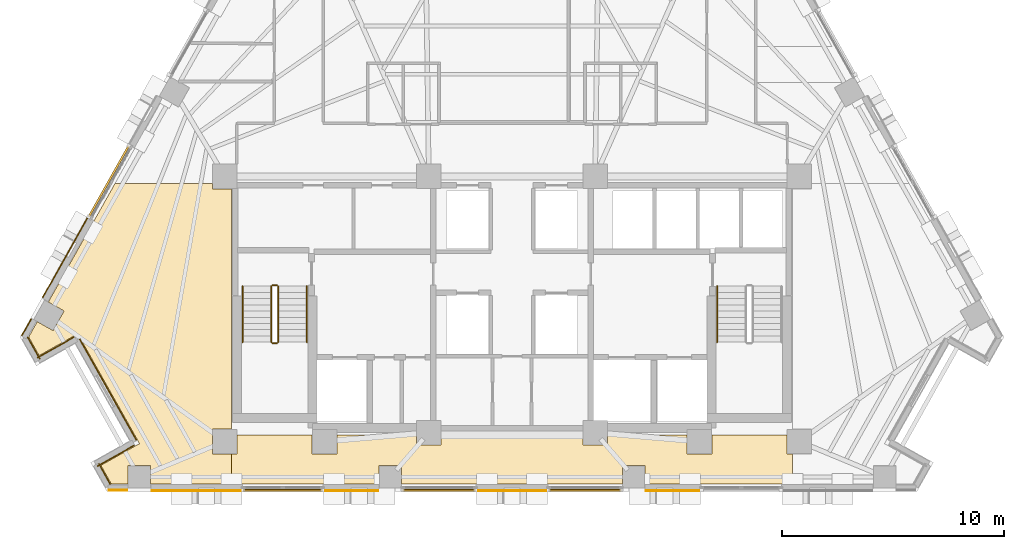
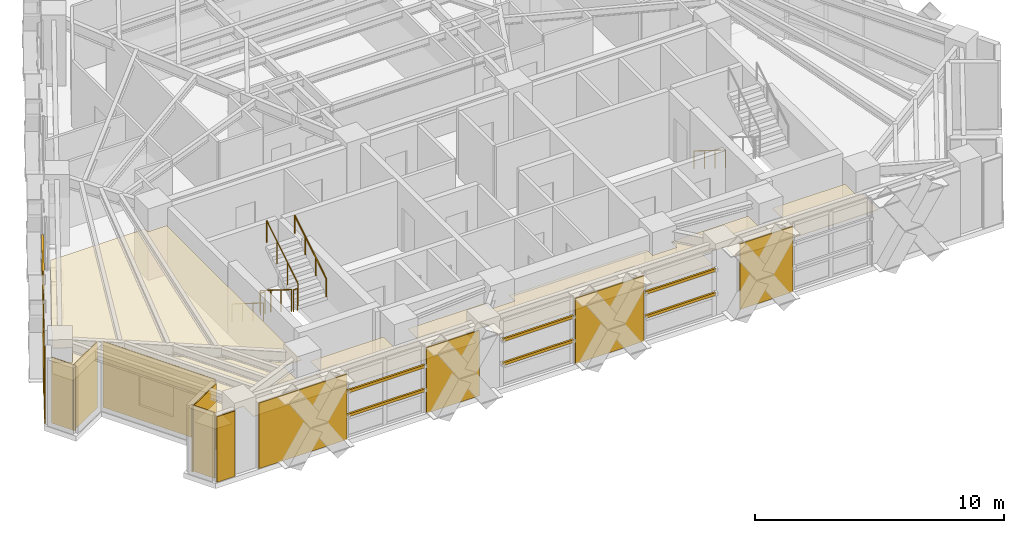
# One storey, part 11 of 14: 14 coverings, 8 shading devices, 7 railings.
"""IFC4 building model written with IfcOpenShell, lengths in metres."""

import ifcopenshell
import ifcopenshell.guid

model = None  # the IFC model being written
_history = None  # IfcOwnerHistory: only IFC2X3 demands one
_inside = {}  # id of a spatial element -> (the spatial element, [elements in it])
_under = {}  # id of a project, library or spatial element -> (it, [spatial elements below it])
_declared = {}  # id of a project -> (the project, [libraries it declares])
_typed = {}  # id of a type object -> (the type object, [elements of that type])
_made_of = {}  # id of a material, layer set ... -> (it, [elements and type objects made of it])


def new_model(schema):
    """Start an empty IFC model of exactly this schema.

    Asked for "IFC4X3", IfcOpenShell would pick the latest addendum, in which some entities
    have other attributes; the version numbers below select the first issue.
    IFC2X3 requires an IfcOwnerHistory on every rooted entity: one is made here for all.
    """
    global model, _history
    if schema == "IFC4X3":
        model = ifcopenshell.file(schema_version=(4, 3, 0, 0))
    else:
        model = ifcopenshell.file(schema=schema)
    _inside.clear()
    _under.clear()
    _declared.clear()
    _typed.clear()
    _made_of.clear()
    _history = None
    if model.schema == "IFC2X3":
        org = make("IfcOrganization", Name="unknown")
        user = make(
            "IfcPersonAndOrganization",
            ThePerson=make("IfcPerson", FamilyName="unknown"),
            TheOrganization=org,
        )
        app = make(
            "IfcApplication",
            ApplicationDeveloper=org,
            Version="unknown",
            ApplicationFullName="unknown",
            ApplicationIdentifier="unknown",
        )
        _history = make(
            "IfcOwnerHistory",
            OwningUser=user,
            OwningApplication=app,
            ChangeAction="ADDED",
            CreationDate=0,
        )
    return model


def make(cls, **values):
    """One entity of the class cls with the attributes given. An attribute that is None is left unset."""
    return model.create_entity(
        cls, **{name: value for name, value in values.items() if value is not None}
    )


def rooted(cls, **values):
    """An entity with a GlobalId (a new one), such as an element, a storey or a relation."""
    return make(cls, GlobalId=ifcopenshell.guid.new(), OwnerHistory=_history, **values)


def si_unit(unit_type, name, prefix=None):
    """IfcSIUnit, for example si_unit("LENGTHUNIT", "METRE", prefix="MILLI")."""
    return make("IfcSIUnit", UnitType=unit_type, Prefix=prefix, Name=name)


def assignment(units):
    """IfcUnitAssignment: the units of a project."""
    return None if units is None else make("IfcUnitAssignment", Units=units)


def point(xyz):
    """IfcCartesianPoint."""
    return None if xyz is None else make("IfcCartesianPoint", Coordinates=xyz)


def direction(xyz):
    """IfcDirection."""
    return None if xyz is None else make("IfcDirection", DirectionRatios=xyz)


def frame(location, z_axis=None, x_axis=None):
    """IfcAxis2Placement3D, a coordinate frame: its origin and axes. An axis left out is left unset."""
    return make(
        "IfcAxis2Placement3D",
        Location=point(location),
        Axis=direction(z_axis),
        RefDirection=direction(x_axis),
    )


def frame_2d(location, x_axis=None):
    """IfcAxis2Placement2D, a coordinate frame in the plane: its origin and x axis."""
    return make(
        "IfcAxis2Placement2D", Location=point(location), RefDirection=direction(x_axis)
    )


def origin():
    """The frame at (0, 0, 0) with its axes left unset."""
    return frame((0.0, 0.0, 0.0))


def origin_2d():
    """The frame at (0, 0) in the plane with its x axis left unset."""
    return frame_2d((0.0, 0.0))


def place(relative_to, where):
    """IfcLocalPlacement: puts the frame where relative to a parent placement (None: the world)."""
    return make(
        "IfcLocalPlacement", PlacementRelTo=relative_to, RelativePlacement=where
    )


def context(
    kind, dimensions, precision=None, world=None, true_north=None, identifier=None
):
    """IfcGeometricRepresentationContext, for example the 3D "Model" context."""
    return make(
        "IfcGeometricRepresentationContext",
        ContextIdentifier=identifier,
        ContextType=kind,
        CoordinateSpaceDimension=dimensions,
        Precision=precision,
        WorldCoordinateSystem=world,
        TrueNorth=true_north,
    )


def subcontext(parent, identifier, kind, view, scale=None):
    """IfcGeometricRepresentationSubContext, for example "Body" below "Model"."""
    return make(
        "IfcGeometricRepresentationSubContext",
        ContextIdentifier=identifier,
        ContextType=kind,
        ParentContext=parent,
        TargetScale=scale,
        TargetView=view,
    )


def project(units=None, contexts=None):
    """IfcProject with its units and contexts."""
    return rooted(
        "IfcProject",
        Name="project",
        RepresentationContexts=contexts,
        UnitsInContext=assignment(units),
    )


def spatial(cls, under=None, at=None, **own):
    """A site, building, storey or space (cls), placed at a placement, below another one or the project."""
    s = rooted(cls, ObjectPlacement=at, **own)
    if under is not None:
        _under.setdefault(under.id(), (under, []))[1].append(s)
    return s


def polyline(points):
    """IfcPolyline through the points."""
    return make("IfcPolyline", Points=[point(p) for p in points])


def profile(cls, at=None, kind="AREA", **sizes):
    """A parametric profile (cls). Its sizes go by their IFC names, for example OverallWidth=200.0."""
    return make(cls, ProfileType=kind, Position=at, **sizes)


def rectangle(**sizes):
    """IfcRectangleProfileDef."""
    return profile("IfcRectangleProfileDef", **sizes)


def circle(**sizes):
    """IfcCircleProfileDef."""
    return profile("IfcCircleProfileDef", **sizes)


def outline(outer, holes=None, kind="AREA"):
    """IfcArbitraryClosedProfileDef: a profile drawn as a closed curve; with holes, ...WithVoids."""
    if holes is None:
        return make("IfcArbitraryClosedProfileDef", ProfileType=kind, OuterCurve=outer)
    return make(
        "IfcArbitraryProfileDefWithVoids",
        ProfileType=kind,
        OuterCurve=outer,
        InnerCurves=holes,
    )


def extrude(swept, where, along, depth):
    """IfcExtrudedAreaSolid: the profile swept, set in the frame where, extruded along a direction by depth."""
    return make(
        "IfcExtrudedAreaSolid",
        SweptArea=swept,
        Position=where,
        ExtrudedDirection=direction(along),
        Depth=depth,
    )


def shape(context_of_items, identifier, shape_type, items):
    """IfcShapeRepresentation: the items that make up one representation, for example the "Body"."""
    return make(
        "IfcShapeRepresentation",
        ContextOfItems=context_of_items,
        RepresentationIdentifier=identifier,
        RepresentationType=shape_type,
        Items=items,
    )


def material(Name=None, Category=None):
    """IfcMaterial."""
    return make("IfcMaterial", Name=Name, Category=Category)


def layer(
    of_material, thickness, ventilated=None, Name=None, Category=None, Priority=None
):
    """IfcMaterialLayer: one layer of a wall or slab, of a material (None: an air gap)."""
    return make(
        "IfcMaterialLayer",
        Material=of_material,
        LayerThickness=thickness,
        IsVentilated=ventilated,
        Name=Name,
        Category=Category,
        Priority=Priority,
    )


def layer_set(layers, Name=None):
    """IfcMaterialLayerSet."""
    return make("IfcMaterialLayerSet", MaterialLayers=layers, LayerSetName=Name)


def material_profile(
    of_material, cross_section, Name=None, Category=None, Priority=None
):
    """IfcMaterialProfile: a cross section and its material."""
    return make(
        "IfcMaterialProfile",
        Name=Name,
        Material=of_material,
        Profile=cross_section,
        Priority=Priority,
        Category=Category,
    )


def profile_set(profiles, Name=None, composite=None):
    """IfcMaterialProfileSet."""
    return make(
        "IfcMaterialProfileSet",
        Name=Name,
        MaterialProfiles=profiles,
        CompositeProfile=composite,
    )


def made_of(thing, what):
    """Note that an element or type object is made of a material, layer set ...; save() writes the relation."""
    if what is not None:
        _made_of.setdefault(what.id(), (what, []))[1].append(thing)
    return thing


def type_object(cls, material=None, **own):
    """A type object (cls), such as IfcWallType, which elements share."""
    return made_of(rooted(cls, **own), material)


def element(
    cls,
    number,
    at=None,
    inside=None,
    cuts=None,
    type_object=None,
    material=None,
    context=None,
    identifier="Body",
    shape_type=None,
    held_by="IfcProductDefinitionShape",
    body=None,
    shapes=None,
    **own,
):
    """One element of the class cls, such as IfcWall. Its Tag is "e" and its number.

    at: its placement. inside: the storey or other place that contains it. cuts: it is an
    opening in that element (IfcRelVoidsElement). A single representation is given by context,
    identifier, shape_type and body (its items); several are given by shapes. held_by: the class
    of the entity that holds the representations. save() writes the other relations.
    """
    e = rooted(cls, Tag="e%d" % number, ObjectPlacement=at, **own)
    if body is not None:
        shapes = [shape(context, identifier, shape_type, body)]
    if shapes is not None:
        e.Representation = make(held_by, Representations=shapes)
    if inside is not None:
        _inside.setdefault(inside.id(), (inside, []))[1].append(e)
    if cuts is not None:
        rooted(
            "IfcRelVoidsElement", RelatingBuildingElement=cuts, RelatedOpeningElement=e
        )
    if type_object is not None:
        _typed.setdefault(type_object.id(), (type_object, []))[1].append(e)
    return made_of(e, material)


def aggregate(whole, parts):
    """IfcRelAggregates: a whole, such as a stair, and the parts it consists of."""
    return rooted("IfcRelAggregates", RelatingObject=whole, RelatedObjects=parts)


def save(model, path):
    """Write the relations noted so far, then the file.

    IfcRelAggregates (storeys below a building ...), IfcRelContainedInSpatialStructure (elements
    in a storey), IfcRelDefinesByType, IfcRelAssociatesMaterial and IfcRelDeclares: one each for
    every whole, place, type object, material and project.
    """
    for whole, parts in _under.values():
        aggregate(whole, parts)
    for where, things in _inside.values():
        rooted(
            "IfcRelContainedInSpatialStructure",
            RelatedElements=things,
            RelatingStructure=where,
        )
    for kind, things in _typed.values():
        rooted("IfcRelDefinesByType", RelatedObjects=things, RelatingType=kind)
    for what, things in _made_of.values():
        rooted("IfcRelAssociatesMaterial", RelatedObjects=things, RelatingMaterial=what)
    for by, libraries in _declared.values():
        rooted("IfcRelDeclares", RelatingContext=by, RelatedDefinitions=libraries)
    model.write(path)


model = new_model("IFC4")

# Units and contexts
model_context = context("Model", 3, precision=1e-05, world=origin(), true_north=direction((0.0, 1.0)))
body_context = subcontext(model_context, "Body", "Model", "MODEL_VIEW")
ifc_project = project(units=[si_unit("LENGTHUNIT", "METRE"), si_unit("AREAUNIT", "SQUARE_METRE"), si_unit("VOLUMEUNIT", "CUBIC_METRE"), si_unit("PLANEANGLEUNIT", "RADIAN"), si_unit("MASSUNIT", "GRAM", prefix="KILO")], contexts=[model_context])

# Site, building, storey
site_placement = place(None, origin())
site = spatial("IfcSite", under=ifc_project, at=site_placement, CompositionType="ELEMENT")
building_placement = place(site_placement, origin())
building = spatial("IfcBuilding", under=site, at=building_placement, Name="Quenlor Broadcast Tower", CompositionType="ELEMENT")
storey_placement = place(building_placement, frame((0.0, 0.0, 154.5)))
storey = spatial("IfcBuildingStorey", under=building, at=storey_placement, Name="L42", CompositionType="ELEMENT", Elevation=154.5)

# Coverings
ifc_material_1 = material(Name="Acoustic Mineral Fibre Board", Category="other")
ifc_layer_1 = layer(ifc_material_1, 0.02490234375)
ifc_layer_set_1 = layer_set([ifc_layer_1], Name="Acoustic Perforated Mineral Tile Ceiling 25")
covering_type_1 = type_object("IfcCoveringType", Name="Acoustic Perforated Mineral Tile Ceiling 25", PredefinedType="CEILING", material=ifc_layer_set_1)
covering_1_placement = place(storey_placement, frame((0.0, 0.0, 2.375)))
element("IfcCovering", 1, at=covering_1_placement, inside=storey, type_object=covering_type_1, Name="L42 Acoustic Ceiling L42-38-3", PredefinedType="CEILING", context=body_context, shape_type="SweptSolid", body=[
    extrude(outline(polyline([(-21.794921875, -12.0400390625), (-21.406982421875, -11.350341796875), (-20.694091796875, -11.751220703125), (-20.19580078125, -10.86572265625), (-20.90869140625, -10.46484375), (-17.90234375, -5.1201171875), (-13.508056640625, -5.1201171875), (-13.508056640625, -5.35791015625), (-12.64990234375, -5.35791015625), (-12.64990234375, -16.19189453125), (-13.508056640625, -16.19189453125), (-13.508056640625, -17.30810546875), (-12.64990234375, -17.30810546875), (-12.64990234375, -18.659912109375), (-16.30029296875, -18.659912109375), (-16.30029296875, -17.842041015625), (-17.31640625, -17.842041015625), (-17.31640625, -18.659912109375), (-18.071044921875, -18.659912109375), (-18.538818359375, -17.82861328125), (-16.795654296875, -16.847900390625), (-19.580322265625, -11.8974609375), (-21.323486328125, -12.878173828125), (-21.794921875, -12.0400390625)])), origin(), (0.0, 0.0, 1.0), 0.02490234375),
])
covering_2_placement = place(storey_placement, frame((0.0, 0.0, 2.375)))
element("IfcCovering", 2, at=covering_2_placement, inside=storey, type_object=covering_type_1, Name="L42 Acoustic Ceiling L42-38-5", PredefinedType="CEILING", context=body_context, shape_type="SweptSolid", body=[
    extrude(outline(polyline([(-12.39208984375, -17.30810546875), (-12.39208984375, -16.449951171875), (-9.008056640625, -16.449951171875), (-9.008056640625, -17.30810546875), (-7.89208984375, -17.30810546875), (-7.89208984375, -16.449951171875), (-4.30810546875, -16.449951171875), (-4.30810546875, -16.907958984375), (-3.19189453125, -16.907958984375), (-3.19189453125, -16.449951171875), (3.19189453125, -16.449951171875), (3.19189453125, -16.907958984375), (4.30810546875, -16.907958984375), (4.30810546875, -16.449951171875), (7.89208984375, -16.449951171875), (7.89208984375, -17.30810546875), (9.008056640625, -17.30810546875), (9.008056640625, -16.449951171875), (12.39208984375, -16.449951171875), (12.39208984375, -17.30810546875), (12.64990234375, -17.30810546875), (12.64990234375, -18.659912109375), (5.989013671875, -18.659912109375), (5.989013671875, -17.842041015625), (4.972900390625, -17.842041015625), (4.972900390625, -18.659912109375), (-4.972900390625, -18.659912109375), (-4.972900390625, -17.842041015625), (-5.989013671875, -17.842041015625), (-5.989013671875, -18.659912109375), (-12.64990234375, -18.659912109375), (-12.64990234375, -17.30810546875), (-12.39208984375, -17.30810546875)])), origin(), (0.0, 0.0, 1.0), 0.02490234375),
])

# Shading devices
ifc_material_2 = material(Name="Architectural Terracotta Ceramic", Category="masonry")
ifc_material_profile = material_profile(ifc_material_2, rectangle(XDim=0.090087890625, YDim=0.139892578125, at=origin_2d()))
ifc_profile_set = profile_set([ifc_material_profile], Name="Architectural Terracotta Ceramic BAG90x140")
shading_device_type = type_object("IfcShadingDeviceType", Name="Copper Terracotta Baguette Solar Screen 140", PredefinedType="USERDEFINED", material=ifc_profile_set)
for number, where, z_axis, x_axis, name in (
    (3, (-8.550048828125, -18.952880859375, 1.169921875), (-1.0, 0.0, 0.0), (0.0, -1.0, 0.0), "L42 Terracotta Baguette Screen 1"),
    (4, (-8.550048828125, -18.952880859375, 2.340087890625), (-1.0, 0.0, 0.0), (0.0, -1.0, 0.0), "L42 Terracotta Baguette Screen 2"),
):
    element("IfcShadingDevice", number, at=place(storey_placement, frame(where, z_axis=z_axis, x_axis=x_axis)), inside=storey, type_object=shading_device_type, Name=name, ObjectType="BAGUETTE", PredefinedType="USERDEFINED", context=body_context, shape_type="SweptSolid", body=[
        extrude(rectangle(XDim=0.090087890625, YDim=0.139892578125, at=origin_2d()), origin(), (0.0, 0.0, 1.0), 3.56396484375),
    ])
for number, where, z_axis, x_axis, name in (
    (5, (4.926025390625, -18.952880859375, 1.169921875), (-1.0, 0.0, 0.0), (0.0, -1.0, 0.0), "L42 Terracotta Baguette Screen 1"),
    (6, (4.926025390625, -18.952880859375, 2.340087890625), (-1.0, 0.0, 0.0), (0.0, -1.0, 0.0), "L42 Terracotta Baguette Screen 2"),
    (7, (-1.662109375, -18.952880859375, 1.169921875), (-1.0, 0.0, 0.0), (0.0, -1.0, 0.0), "L42 Terracotta Baguette Screen 1"),
    (8, (-1.662109375, -18.952880859375, 2.340087890625), (-1.0, 0.0, 0.0), (0.0, -1.0, 0.0), "L42 Terracotta Baguette Screen 2"),
):
    element("IfcShadingDevice", number, at=place(storey_placement, frame(where, z_axis=z_axis, x_axis=x_axis)), inside=storey, type_object=shading_device_type, Name=name, ObjectType="BAGUETTE", PredefinedType="USERDEFINED", context=body_context, shape_type="SweptSolid", body=[
        extrude(rectangle(XDim=0.090087890625, YDim=0.139892578125, at=origin_2d()), origin(), (0.0, 0.0, 1.0), 3.263916015625),
    ])
for number, where, z_axis, x_axis, name in (
    (9, (-19.079345703125, -6.61474609375, 1.169921875), (0.490258076222, 0.871577316535, 0.0), (-0.871577316535, 0.490258076222, 0.0), "L42 Terracotta Baguette Screen 1"),
    (10, (-19.079345703125, -6.61474609375, 2.340087890625), (0.490258076222, 0.871577316535, 0.0), (-0.871577316535, 0.490258076222, 0.0), "L42 Terracotta Baguette Screen 2"),
):
    element("IfcShadingDevice", number, at=place(storey_placement, frame(where, z_axis=z_axis, x_axis=x_axis)), inside=storey, type_object=shading_device_type, Name=name, ObjectType="BAGUETTE", PredefinedType="USERDEFINED", context=body_context, shape_type="SweptSolid", body=[
        extrude(rectangle(XDim=0.090087890625, YDim=0.139892578125, at=origin_2d()), origin(), (0.0, 0.0, 1.0), 3.6640625),
    ])

# Coverings
ifc_material_3 = material(Name="Architectural Terracotta Ceramic", Category="masonry")
ifc_layer_2 = layer(ifc_material_3, 0.044921875)
ifc_layer_set_2 = layer_set([ifc_layer_2], Name="Fluted Terracotta Rainscreen Cladding Panel")
covering_type_2 = type_object("IfcCoveringType", Name="Fluted Terracotta Rainscreen Cladding Panel", PredefinedType="CLADDING", material=ifc_layer_set_2)
covering_3_placement = place(storey_placement, frame((0.0, 0.0, 0.02001953125)))
element("IfcCovering", 11, at=covering_3_placement, inside=storey, type_object=covering_type_2, Name="L42 Terracotta Rainscreen Cladding L42-SHD-SS1", PredefinedType="CLADDING", context=body_context, shape_type="SweptSolid", body=[
    extrude(outline(polyline([(-17.343505859375, -18.93701171875), (-18.179931640625, -18.93701171875), (-18.179931640625, -18.98193359375), (-17.343505859375, -18.98193359375), (-17.343505859375, -18.93701171875)])), origin(), (0.0, 0.0, 1.0), 3.2099609375),
])
covering_4_placement = place(storey_placement, frame((0.0, 0.0, 0.02001953125)))
element("IfcCovering", 12, at=covering_4_placement, inside=storey, type_object=covering_type_2, Name="L42 Terracotta Rainscreen Cladding L42-SA-SP2", PredefinedType="CLADDING", context=body_context, shape_type="SweptSolid", body=[
    extrude(outline(polyline([(8.485107421875, -18.95703125), (6.035888671875, -18.95703125), (6.035888671875, -19.001953125), (8.485107421875, -19.001953125), (8.485107421875, -18.95703125)])), origin(), (0.0, 0.0, 1.0), 3.2099609375),
])
covering_5_placement = place(storey_placement, frame((0.0, 0.0, 0.02001953125)))
element("IfcCovering", 13, at=covering_5_placement, inside=storey, type_object=covering_type_2, Name="L42 Terracotta Rainscreen Cladding L42-SC-SP1", PredefinedType="CLADDING", context=body_context, shape_type="SweptSolid", body=[
    extrude(outline(polyline([(-6.035888671875, -18.95703125), (-8.485107421875, -18.95703125), (-8.485107421875, -19.001953125), (-6.035888671875, -19.001953125), (-6.035888671875, -18.95703125)])), origin(), (0.0, 0.0, 1.0), 3.2099609375),
])
covering_6_placement = place(storey_placement, frame((0.0, 0.0, 0.02001953125)))
element("IfcCovering", 14, at=covering_6_placement, inside=storey, type_object=covering_type_2, Name="L42 Terracotta Rainscreen Cladding L42-SC-SP2", PredefinedType="CLADDING", context=body_context, shape_type="SweptSolid", body=[
    extrude(outline(polyline([(-12.178955078125, -18.95703125), (-16.25341796875, -18.95703125), (-16.25341796875, -19.001953125), (-12.178955078125, -19.001953125), (-12.178955078125, -18.95703125)])), origin(), (0.0, 0.0, 1.0), 3.2099609375),
])
covering_7_placement = place(storey_placement, frame((0.0, 0.0, 0.02001953125)))
element("IfcCovering", 15, at=covering_7_placement, inside=storey, type_object=covering_type_2, Name="L42 Terracotta Rainscreen Cladding L42-S-SP1", PredefinedType="CLADDING", context=body_context, shape_type="SweptSolid", body=[
    extrude(outline(polyline([(1.596923828125, -18.95703125), (-1.596923828125, -18.95703125), (-1.596923828125, -19.001953125), (1.596923828125, -19.001953125), (1.596923828125, -18.95703125)])), origin(), (0.0, 0.0, 1.0), 3.2099609375),
])
covering_8_placement = place(storey_placement, frame((0.0, 0.0, 0.02001953125)))
element("IfcCovering", 16, at=covering_8_placement, inside=storey, type_object=covering_type_2, Name="L42 Terracotta Rainscreen Cladding L42-SHD-NWS0", PredefinedType="CLADDING", context=body_context, shape_type="SweptSolid", body=[
    extrude(outline(polyline([(-22.0859375, -11.992431640625), (-21.66162109375, -11.23779296875), (-21.70068359375, -11.2158203125), (-22.125244140625, -11.970458984375), (-22.0859375, -11.992431640625)])), origin(), (0.0, 0.0, 1.0), 3.2099609375),
])
covering_9_placement = place(storey_placement, frame((0.0, 0.0, 0.02001953125)))
element("IfcCovering", 17, at=covering_9_placement, inside=storey, type_object=covering_type_2, Name="L42 Terracotta Rainscreen Cladding L42-NWA-SP1", PredefinedType="CLADDING", context=body_context, shape_type="SweptSolid", body=[
    extrude(outline(polyline([(-21.14453125, -10.278076171875), (-19.11474609375, -6.66943359375), (-19.154052734375, -6.6474609375), (-21.183837890625, -10.256103515625), (-21.14453125, -10.278076171875)])), origin(), (0.0, 0.0, 1.0), 3.2099609375),
])
covering_10_placement = place(storey_placement, frame((0.0, 0.0, 0.02001953125)))
element("IfcCovering", 18, at=covering_10_placement, inside=storey, type_object=covering_type_2, Name="L42 Terracotta Rainscreen Cladding L42-CNR-12", PredefinedType="CLADDING", context=body_context, shape_type="SweptSolid", body=[
    extrude(outline(polyline([(-21.864501953125, -12.0546875), (-21.309326171875, -13.0419921875), (-21.27001953125, -13.02001953125), (-21.825439453125, -12.03271484375), (-21.864501953125, -12.0546875)])), origin(), (0.0, 0.0, 1.0), 3.2099609375),
])
covering_11_placement = place(storey_placement, frame((0.0, 0.0, 0.02001953125)))
element("IfcCovering", 19, at=covering_11_placement, inside=storey, type_object=covering_type_2, Name="L42 Terracotta Rainscreen Cladding L42-CNR-13", PredefinedType="CLADDING", context=body_context, shape_type="SweptSolid", body=[
    extrude(outline(polyline([(-21.385986328125, -12.9912109375), (-19.72998046875, -12.059814453125), (-19.752197265625, -12.0205078125), (-21.408203125, -12.9521484375), (-21.385986328125, -12.9912109375)])), origin(), (0.0, 0.0, 1.0), 3.2099609375),
])
covering_12_placement = place(storey_placement, frame((0.0, 0.0, 0.02001953125)))
element("IfcCovering", 20, at=covering_12_placement, inside=storey, type_object=covering_type_2, Name="L42 Terracotta Rainscreen Cladding L42-CNR-14", PredefinedType="CLADDING", context=body_context, shape_type="SweptSolid", body=[
    extrude(outline(polyline([(-19.51708984375, -12.148681640625), (-16.9580078125, -16.6982421875), (-16.918701171875, -16.67626953125), (-19.477783203125, -12.126708984375), (-19.51708984375, -12.148681640625)])), origin(), (0.0, 0.0, 1.0), 3.2099609375),
])
covering_13_placement = place(storey_placement, frame((0.0, 0.0, 0.02001953125)))
element("IfcCovering", 21, at=covering_13_placement, inside=storey, type_object=covering_type_2, Name="L42 Terracotta Rainscreen Cladding L42-CNR-15", PredefinedType="CLADDING", context=body_context, shape_type="SweptSolid", body=[
    extrude(outline(polyline([(-17.046875, -16.911376953125), (-18.702880859375, -17.8427734375), (-18.680908203125, -17.882080078125), (-17.02490234375, -16.950439453125), (-17.046875, -16.911376953125)])), origin(), (0.0, 0.0, 1.0), 3.2099609375),
])
covering_14_placement = place(storey_placement, frame((0.0, 0.0, 0.02001953125)))
element("IfcCovering", 22, at=covering_14_placement, inside=storey, type_object=covering_type_2, Name="L42 Terracotta Rainscreen Cladding L42-CNR-16", PredefinedType="CLADDING", context=body_context, shape_type="SweptSolid", body=[
    extrude(outline(polyline([(-18.652099609375, -17.76611328125), (-18.127685546875, -18.697998046875), (-18.088623046875, -18.67578125), (-18.61279296875, -17.743896484375), (-18.652099609375, -17.76611328125)])), origin(), (0.0, 0.0, 1.0), 3.2099609375),
])

# Railings
ifc_material_4 = material(Name="Anodised Aluminium", Category="aluminium")
railing_type_1 = type_object("IfcRailingType", Name="Stainless Aluminium Wall Handrail 900", PredefinedType="HANDRAIL", material=ifc_material_4)
railing_1_placement = place(storey_placement, frame((-12.14990234375, -9.75, 0.175048828125)))
element("IfcRailing", 23, at=railing_1_placement, inside=storey, type_object=railing_type_1, Name="L42 ST-1 stair handrail 1", PredefinedType="HANDRAIL", context=body_context, shape_type="SweptSolid", body=[
    extrude(circle(Radius=0.02392578125, at=origin_2d()), frame((0.0, 0.0, 0.8759765625), z_axis=(0.0, -0.848007534815, 0.529984170421), x_axis=(1.0, 0.0, 0.0)), (0.0, 0.0, 1.0), 2.9716796875),
    extrude(circle(Radius=0.02099609375, at=origin_2d()), origin(), (0.0, 0.0, 1.0), 0.851806640625),
    extrude(circle(Radius=0.02099609375, at=origin_2d()), frame((0.0, -0.840087890625, 0.52490234375)), (0.0, 0.0, 1.0), 0.851806640625),
    extrude(circle(Radius=0.02099609375, at=origin_2d()), frame((0.0, -1.679931640625, 1.050048828125)), (0.0, 0.0, 1.0), 0.851806640625),
    extrude(circle(Radius=0.02099609375, at=origin_2d()), frame((0.0, -2.52001953125, 1.574951171875)), (0.0, 0.0, 1.0), 0.851806640625),
])
railing_2_placement = place(storey_placement, frame((-9.25, -12.27001953125, 1.925048828125)))
element("IfcRailing", 24, at=railing_2_placement, inside=storey, type_object=railing_type_1, Name="L42 ST-1 stair handrail 2", PredefinedType="HANDRAIL", context=body_context, shape_type="SweptSolid", body=[
    extrude(circle(Radius=0.02392578125, at=origin_2d()), frame((0.0, 0.0, 0.8759765625), z_axis=(0.0, 0.848007534815, 0.529984170421), x_axis=(-1.0, 0.0, 0.0)), (0.0, 0.0, 1.0), 2.9716796875),
    extrude(circle(Radius=0.02099609375, at=origin_2d()), origin(), (0.0, 0.0, 1.0), 0.851806640625),
    extrude(circle(Radius=0.02099609375, at=origin_2d()), frame((0.0, 0.840087890625, 0.52490234375)), (0.0, 0.0, 1.0), 0.851806640625),
    extrude(circle(Radius=0.02099609375, at=origin_2d()), frame((0.0, 1.679931640625, 1.050048828125)), (0.0, 0.0, 1.0), 0.851806640625),
    extrude(circle(Radius=0.02099609375, at=origin_2d()), frame((0.0, 2.52001953125, 1.574951171875)), (0.0, 0.0, 1.0), 0.851806640625),
])
railing_3_placement = place(storey_placement, frame((9.25, -9.75, 0.175048828125)))
element("IfcRailing", 25, at=railing_3_placement, inside=storey, type_object=railing_type_1, Name="L42 ST-2 stair handrail 1", PredefinedType="HANDRAIL", context=body_context, shape_type="SweptSolid", body=[
    extrude(circle(Radius=0.02392578125, at=origin_2d()), frame((0.0, 0.0, 0.8759765625), z_axis=(0.0, -0.848007534815, 0.529984170421), x_axis=(1.0, 0.0, 0.0)), (0.0, 0.0, 1.0), 2.9716796875),
    extrude(circle(Radius=0.02099609375, at=origin_2d()), origin(), (0.0, 0.0, 1.0), 0.851806640625),
    extrude(circle(Radius=0.02099609375, at=origin_2d()), frame((0.0, -0.840087890625, 0.52490234375)), (0.0, 0.0, 1.0), 0.851806640625),
    extrude(circle(Radius=0.02099609375, at=origin_2d()), frame((0.0, -1.679931640625, 1.050048828125)), (0.0, 0.0, 1.0), 0.851806640625),
    extrude(circle(Radius=0.02099609375, at=origin_2d()), frame((0.0, -2.52001953125, 1.574951171875)), (0.0, 0.0, 1.0), 0.851806640625),
])
ifc_material_5 = material(Name="Steel S355", Category="steel")
railing_type_2 = type_object("IfcRailingType", Name="Tubular Steel S355 Stair Guardrail 1100", PredefinedType="BALUSTRADE", material=ifc_material_5)
railing_4_placement = place(storey_placement, frame((-10.85009765625, -9.75, 0.175048828125)))
element("IfcRailing", 26, at=railing_4_placement, inside=storey, type_object=railing_type_2, Name="L42 ST-1 stair guard 1", PredefinedType="BALUSTRADE", context=body_context, shape_type="SweptSolid", body=[
    extrude(circle(Radius=0.02392578125, at=origin_2d()), frame((0.0, 0.0, 1.076171875), z_axis=(0.0, -0.848007534815, 0.529984170421), x_axis=(1.0, 0.0, 0.0)), (0.0, 0.0, 1.0), 2.9716796875),
    extrude(circle(Radius=0.02099609375, at=origin_2d()), origin(), (0.0, 0.0, 1.0), 1.052001953125),
    extrude(circle(Radius=0.02099609375, at=origin_2d()), frame((0.0, -0.840087890625, 0.52490234375)), (0.0, 0.0, 1.0), 1.052001953125),
    extrude(circle(Radius=0.02099609375, at=origin_2d()), frame((0.0, -1.679931640625, 1.050048828125)), (0.0, 0.0, 1.0), 1.052001953125),
    extrude(circle(Radius=0.02099609375, at=origin_2d()), frame((0.0, -2.52001953125, 1.574951171875)), (0.0, 0.0, 1.0), 1.052001953125),
])
railing_5_placement = place(storey_placement, frame((-10.800048828125, -12.320068359375, 1.75)))
element("IfcRailing", 27, at=railing_5_placement, inside=storey, type_object=railing_type_2, Name="L42 ST-1 stair guard 2", PredefinedType="BALUSTRADE", context=body_context, shape_type="SweptSolid", body=[
    extrude(circle(Radius=0.02392578125, at=origin_2d()), frame((0.0, 0.0, 1.076171875), z_axis=(1.0, 0.0, 0.0), x_axis=(0.0, 1.0, 0.0)), (0.0, 0.0, 1.0), 0.199951171875),
    extrude(circle(Radius=0.02099609375, at=origin_2d()), origin(), (0.0, 0.0, 1.0), 1.052001953125),
    extrude(circle(Radius=0.02099609375, at=origin_2d()), frame((0.199951171875, 0.0, 0.0)), (0.0, 0.0, 1.0), 1.052001953125),
])
railing_6_placement = place(storey_placement, frame((-10.550048828125, -12.27001953125, 1.925048828125)))
element("IfcRailing", 28, at=railing_6_placement, inside=storey, type_object=railing_type_2, Name="L42 ST-1 stair guard 3", PredefinedType="BALUSTRADE", context=body_context, shape_type="SweptSolid", body=[
    extrude(circle(Radius=0.02392578125, at=origin_2d()), frame((0.0, 0.0, 1.076171875), z_axis=(0.0, 0.848007534815, 0.529984170421), x_axis=(-1.0, 0.0, 0.0)), (0.0, 0.0, 1.0), 2.9716796875),
    extrude(circle(Radius=0.02099609375, at=origin_2d()), origin(), (0.0, 0.0, 1.0), 1.052001953125),
    extrude(circle(Radius=0.02099609375, at=origin_2d()), frame((0.0, 0.840087890625, 0.52490234375)), (0.0, 0.0, 1.0), 1.052001953125),
    extrude(circle(Radius=0.02099609375, at=origin_2d()), frame((0.0, 1.679931640625, 1.050048828125)), (0.0, 0.0, 1.0), 1.052001953125),
    extrude(circle(Radius=0.02099609375, at=origin_2d()), frame((0.0, 2.52001953125, 1.574951171875)), (0.0, 0.0, 1.0), 1.052001953125),
])
railing_7_placement = place(storey_placement, frame((-10.800048828125, -9.699951171875, 0.0)))
element("IfcRailing", 29, at=railing_7_placement, inside=storey, type_object=railing_type_2, Name="L42 ST-1 stair guard 4", PredefinedType="BALUSTRADE", context=body_context, shape_type="SweptSolid", body=[
    extrude(circle(Radius=0.02392578125, at=origin_2d()), frame((0.0, 0.0, 1.076171875), z_axis=(1.0, 0.0, 0.0), x_axis=(0.0, 1.0, 0.0)), (0.0, 0.0, 1.0), 0.199951171875),
    extrude(circle(Radius=0.02099609375, at=origin_2d()), origin(), (0.0, 0.0, 1.0), 1.052001953125),
    extrude(circle(Radius=0.02099609375, at=origin_2d()), frame((0.199951171875, 0.0, 0.0)), (0.0, 0.0, 1.0), 1.052001953125),
])

save(model, "model.ifc")
